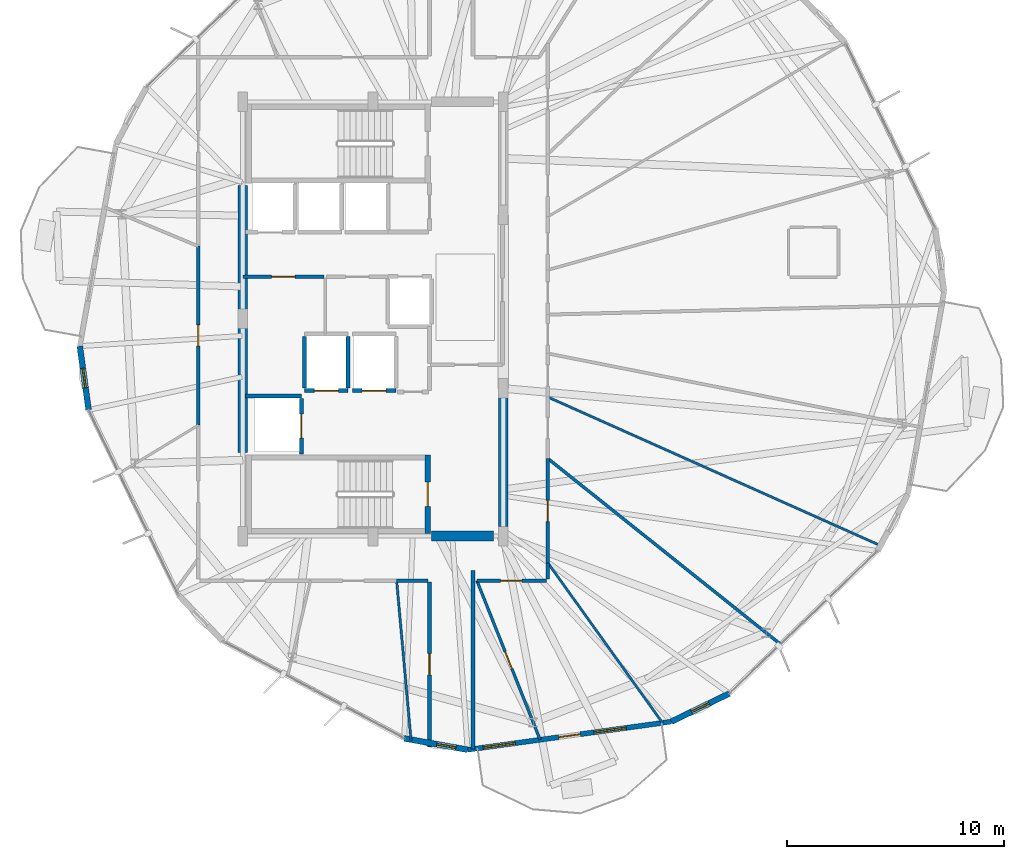
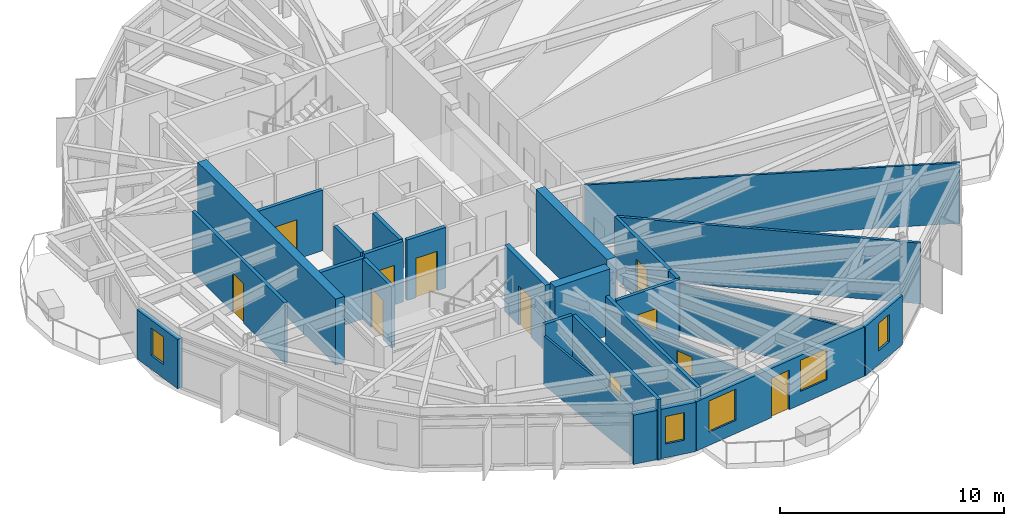
# One storey, part 20 of 26: 27 walls, 11 doors, 5 windows, 16 openings.
"""IFC4 building model written with IfcOpenShell, lengths in metres."""

from ifc_helpers import new_model, si_unit, direction, frame, frame_2d, origin, place, context, subcontext, project, spatial, rectangle, extrude, material, layer, layer_set, type_object, element, fill, save


model = new_model("IFC4")

# Units and contexts
model_context = context("Model", 3, precision=1e-05, world=origin(), true_north=direction((0.0, 1.0)))
body_context = subcontext(model_context, "Body", "Model", "MODEL_VIEW")
ifc_project = project(units=[si_unit("LENGTHUNIT", "METRE"), si_unit("AREAUNIT", "SQUARE_METRE"), si_unit("VOLUMEUNIT", "CUBIC_METRE"), si_unit("PLANEANGLEUNIT", "RADIAN"), si_unit("MASSUNIT", "GRAM", prefix="KILO")], contexts=[model_context])

# Site, building, storey
site_placement = place(None, origin())
site = spatial("IfcSite", under=ifc_project, at=site_placement, CompositionType="ELEMENT")
building_placement = place(site_placement, origin())
building = spatial("IfcBuilding", under=site, at=building_placement, Name="Soratama Intermodal Tower", CompositionType="ELEMENT")
storey_placement = place(building_placement, frame((0.0, 0.0, 194.199951171875)))
storey = spatial("IfcBuildingStorey", under=building, at=storey_placement, Name="L48", CompositionType="ELEMENT", Elevation=194.199951171875)

# Wall, openings, door, windows
ifc_material_1 = material(Name="Concrete f'c 42 MPa", Category="concrete")
ifc_layer_1 = layer(ifc_material_1, 0.22998046875)
ifc_layer_set_1 = layer_set([ifc_layer_1], Name="Concrete f'c 42 MPa")
wall_type_1 = type_object("IfcWallType", Name="EW-BAL-230", PredefinedType="SOLIDWALL", material=ifc_layer_set_1)
wall_1_placement = place(storey_placement, frame((42.95849609375, 5.159912109375, 0.0), z_axis=(0.0, 0.0, 1.0), x_axis=(0.990605602179, 0.136749921142, 0.0)))
wall_1 = element("IfcWall", 1, at=wall_1_placement, inside=storey, type_object=wall_type_1, Name="L48 Terrace Wall F07", PredefinedType="SOLIDWALL", context=body_context, shape_type="SweptSolid", body=[
    extrude(rectangle(XDim=9.470947265625, YDim=0.22998046875, at=frame_2d((4.7353515625, 0.0))), origin(), (0.0, 0.0, 1.0), 2.678955078125),
])
opening_1_placement = place(wall_1_placement, frame((4.235595703125, 0.0, 0.0)))
opening_1 = element("IfcOpeningElement", 2, at=opening_1_placement, cuts=wall_1, Name="Opening ED-2", PredefinedType="OPENING", context=body_context, shape_type="SweptSolid", body=[
    extrude(rectangle(XDim=1.0, YDim=2.14990234375, at=frame_2d((0.5, 1.074951171875))), frame((0.0, 0.125, 0.0), z_axis=(0.0, -1.0, 0.0), x_axis=(1.0, 0.0, 0.0)), (0.0, 0.0, 1.0), 0.25),
])
opening_2_placement = place(wall_1_placement, frame((0.7158203125, 0.0, 0.719970703125)))
opening_2 = element("IfcOpeningElement", 3, at=opening_2_placement, cuts=wall_1, Name="Opening WN-1", PredefinedType="OPENING", context=body_context, shape_type="SweptSolid", body=[
    extrude(rectangle(XDim=1.5, YDim=1.699951171875, at=frame_2d((0.75, 0.85009765625))), frame((0.0, 0.125, 0.0), z_axis=(0.0, -1.0, 0.0), x_axis=(1.0, 0.0, 0.0)), (0.0, 0.0, 1.0), 0.25),
])
opening_3_placement = place(wall_1_placement, frame((5.87548828125, 0.0, 0.719970703125)))
opening_3 = element("IfcOpeningElement", 4, at=opening_3_placement, cuts=wall_1, Name="Opening WN-1", PredefinedType="OPENING", context=body_context, shape_type="SweptSolid", body=[
    extrude(rectangle(XDim=1.5, YDim=1.699951171875, at=frame_2d((0.75, 0.85009765625))), frame((0.0, 0.125, 0.0), z_axis=(0.0, -1.0, 0.0), x_axis=(1.0, 0.0, 0.0)), (0.0, 0.0, 1.0), 0.25),
])
ifc_material_2 = material(Name="Double-glazed aluminium door", Category="aluminium")
door_type_1 = type_object("IfcDoorType", Name="DR-BAL-1000", OperationType="NOTDEFINED", PredefinedType="DOOR", material=ifc_material_2)
door_1_placement = place(opening_1_placement, origin())
door_1 = element("IfcDoor", 5, at=door_1_placement, inside=storey, type_object=door_type_1, Name="L48 Balcony Door F07", OperationType="SINGLE_SWING_LEFT", OverallHeight=2.14990234375, OverallWidth=1.0, PredefinedType="DOOR", context=body_context, shape_type="SweptSolid", body=[
    extrude(rectangle(XDim=1.0, YDim=2.14990234375, at=frame_2d((0.5, 1.074951171875))), frame((0.0, 0.02490234375, 0.0), z_axis=(0.0, -1.0, 0.0), x_axis=(1.0, 0.0, 0.0)), (0.0, 0.0, 1.0), 0.050048828125),
])
fill(opening_1, door_1)
ifc_material_3 = material(Name="Double-glazed aluminium window", Category="aluminium")
window_type_1 = type_object("IfcWindowType", Name="WN-FAC-1500", PartitioningType="SINGLE_PANEL", PredefinedType="WINDOW", material=ifc_material_3)
window_1_placement = place(opening_2_placement, origin())
window_1 = element("IfcWindow", 6, at=window_1_placement, inside=storey, type_object=window_type_1, Name="L48 Window A F07", OverallHeight=1.699951171875, OverallWidth=1.5, PartitioningType="SINGLE_PANEL", PredefinedType="WINDOW", context=body_context, shape_type="SweptSolid", body=[
    extrude(rectangle(XDim=1.5, YDim=1.699951171875, at=frame_2d((0.75, 0.85009765625))), frame((0.0, 0.030029296875, 0.0), z_axis=(0.0, -1.0, 0.0), x_axis=(1.0, 0.0, 0.0)), (0.0, 0.0, 1.0), 0.06005859375),
])
fill(opening_2, window_1)
window_2_placement = place(opening_3_placement, origin())
window_2 = element("IfcWindow", 7, at=window_2_placement, inside=storey, type_object=window_type_1, Name="L48 Window B F07", OverallHeight=1.699951171875, OverallWidth=1.5, PartitioningType="SINGLE_PANEL", PredefinedType="WINDOW", context=body_context, shape_type="SweptSolid", body=[
    extrude(rectangle(XDim=1.5, YDim=1.699951171875, at=frame_2d((0.75, 0.85009765625))), frame((0.0, 0.030029296875, 0.0), z_axis=(0.0, -1.0, 0.0), x_axis=(1.0, 0.0, 0.0)), (0.0, 0.0, 1.0), 0.06005859375),
])
fill(opening_3, window_2)

# Wall, opening, window
ifc_material_4 = material(Name="Concrete f'c 42 MPa", Category="concrete")
ifc_layer_2 = layer(ifc_material_4, 0.27001953125)
ifc_layer_set_2 = layer_set([ifc_layer_2], Name="Concrete f'c 42 MPa")
wall_type_2 = type_object("IfcWallType", Name="EW-CRN-270", PredefinedType="SOLIDWALL", material=ifc_layer_set_2)
wall_2_placement = place(storey_placement, frame((25.09423828125, 23.74951171875, 0.0), z_axis=(0.0, 0.0, 1.0), x_axis=(0.136776637091, -0.99060191376, 0.0)))
wall_2 = element("IfcWall", 8, at=wall_2_placement, inside=storey, type_object=wall_type_2, Name="L48 Corner Closure Wall 04", PredefinedType="SOLIDWALL", context=body_context, shape_type="SweptSolid", body=[
    extrude(rectangle(XDim=2.966552734375, YDim=0.27001953125, at=frame_2d((1.4833984375, 0.0))), origin(), (0.0, 0.0, 1.0), 2.678955078125),
])
opening_4_placement = place(wall_2_placement, frame((1.033203125, 0.0, 0.75)))
opening_4 = element("IfcOpeningElement", 9, at=opening_4_placement, cuts=wall_2, Name="Opening WN-6", PredefinedType="OPENING", context=body_context, shape_type="SweptSolid", body=[
    extrude(rectangle(XDim=0.89990234375, YDim=1.5, at=frame_2d((0.449951171875, 0.75))), frame((0.0, 0.14501953125, 0.0), z_axis=(0.0, -1.0, 0.0), x_axis=(1.0, 0.0, 0.0)), (0.0, 0.0, 1.0), 0.2900390625),
])
ifc_material_5 = material(Name="Double-glazed aluminium window", Category="aluminium")
window_type_2 = type_object("IfcWindowType", Name="WN-FAC-900", PartitioningType="SINGLE_PANEL", PredefinedType="WINDOW", material=ifc_material_5)
window_3_placement = place(opening_4_placement, origin())
window_3 = element("IfcWindow", 10, at=window_3_placement, inside=storey, type_object=window_type_2, Name="L48 Corner Window 04", OverallHeight=1.5, OverallWidth=0.89990234375, PartitioningType="SINGLE_PANEL", PredefinedType="WINDOW", context=body_context, shape_type="SweptSolid", body=[
    extrude(rectangle(XDim=0.89990234375, YDim=1.5, at=frame_2d((0.449951171875, 0.75))), frame((0.0, 0.030029296875, 0.0), z_axis=(0.0, -1.0, 0.0), x_axis=(1.0, 0.0, 0.0)), (0.0, 0.0, 1.0), 0.06005859375),
])
fill(opening_4, window_3)

wall_3_placement = place(storey_placement, frame((40.0380859375, 5.68212890625, 0.0), z_axis=(0.0, 0.0, 1.0), x_axis=(0.984385841961, -0.176024186253, 0.0)))
wall_3 = element("IfcWall", 11, at=wall_3_placement, inside=storey, type_object=wall_type_2, Name="L48 Corner Closure Wall 06", PredefinedType="SOLIDWALL", context=body_context, shape_type="SweptSolid", body=[
    extrude(rectangle(XDim=2.966796875, YDim=0.27001953125, at=frame_2d((1.4833984375, 0.0))), origin(), (0.0, 0.0, 1.0), 2.678955078125),
])
opening_5_placement = place(wall_3_placement, frame((1.519287109375, 0.0, 0.75)))
opening_5 = element("IfcOpeningElement", 12, at=opening_5_placement, cuts=wall_3, Name="Opening WN-6", PredefinedType="OPENING", context=body_context, shape_type="SweptSolid", body=[
    extrude(rectangle(XDim=0.89990234375, YDim=1.5, at=frame_2d((0.449951171875, 0.75))), frame((0.0, 0.14501953125, 0.0), z_axis=(0.0, -1.0, 0.0), x_axis=(1.0, 0.0, 0.0)), (0.0, 0.0, 1.0), 0.2900390625),
])
window_4_placement = place(opening_5_placement, origin())
window_4 = element("IfcWindow", 13, at=window_4_placement, inside=storey, type_object=window_type_2, Name="L48 Corner Window 06", OverallHeight=1.5, OverallWidth=0.89990234375, PartitioningType="SINGLE_PANEL", PredefinedType="WINDOW", context=body_context, shape_type="SweptSolid", body=[
    extrude(rectangle(XDim=0.89990234375, YDim=1.5, at=frame_2d((0.449951171875, 0.75))), frame((0.0, 0.030029296875, 0.0), z_axis=(0.0, -1.0, 0.0), x_axis=(1.0, 0.0, 0.0)), (0.0, 0.0, 1.0), 0.06005859375),
])
fill(opening_5, window_4)

wall_4_placement = place(storey_placement, frame((52.340576171875, 6.455078125, 0.0), z_axis=(0.0, 0.0, 1.0), x_axis=(0.899889481121, 0.436118013578, 0.0)))
wall_4 = element("IfcWall", 14, at=wall_4_placement, inside=storey, type_object=wall_type_2, Name="L48 Corner Closure Wall 07", PredefinedType="SOLIDWALL", context=body_context, shape_type="SweptSolid", body=[
    extrude(rectangle(XDim=2.96630859375, YDim=0.27001953125, at=frame_2d((1.483154296875, 0.0))), origin(), (0.0, 0.0, 1.0), 2.678955078125),
])
opening_6_placement = place(wall_4_placement, frame((1.033203125, 0.0, 0.75)))
opening_6 = element("IfcOpeningElement", 15, at=opening_6_placement, cuts=wall_4, Name="Opening WN-6", PredefinedType="OPENING", context=body_context, shape_type="SweptSolid", body=[
    extrude(rectangle(XDim=0.89990234375, YDim=1.5, at=frame_2d((0.449951171875, 0.75))), frame((0.0, 0.14501953125, 0.0), z_axis=(0.0, -1.0, 0.0), x_axis=(1.0, 0.0, 0.0)), (0.0, 0.0, 1.0), 0.2900390625),
])
window_5_placement = place(opening_6_placement, origin())
window_5 = element("IfcWindow", 16, at=window_5_placement, inside=storey, type_object=window_type_2, Name="L48 Corner Window 07", OverallHeight=1.5, OverallWidth=0.89990234375, PartitioningType="SINGLE_PANEL", PredefinedType="WINDOW", context=body_context, shape_type="SweptSolid", body=[
    extrude(rectangle(XDim=0.89990234375, YDim=1.5, at=frame_2d((0.449951171875, 0.75))), frame((0.0, 0.030029296875, 0.0), z_axis=(0.0, -1.0, 0.0), x_axis=(1.0, 0.0, 0.0)), (0.0, 0.0, 1.0), 0.06005859375),
])
fill(opening_6, window_5)

# Wall, opening, door
ifc_material_6 = material(Name="Fire-rated gypsum stud partition", Category="concrete")
ifc_layer_3 = layer(ifc_material_6, 0.169921875)
ifc_layer_set_3 = layer_set([ifc_layer_3], Name="Fire-rated gypsum stud partition")
wall_type_3 = type_object("IfcWallType", Name="IW-PART-R170", PredefinedType="PARTITIONING", material=ifc_layer_set_3)
wall_5_placement = place(storey_placement, frame((30.550048828125, 20.10595703125, 0.0), z_axis=(0.0, 0.0, 1.0), x_axis=(0.0, 1.0, 0.0)))
wall_5 = element("IfcWall", 17, at=wall_5_placement, inside=storey, type_object=wall_type_3, Name="L48 Partition W-L48-TP010", PredefinedType="PARTITIONING", context=body_context, shape_type="SweptSolid", body=[
    extrude(rectangle(XDim=8.2451171875, YDim=0.169921875, at=frame_2d((4.12255859375, 0.0))), origin(), (0.0, 0.0, 1.0), 3.300048828125),
])
opening_7_placement = place(wall_5_placement, frame((3.64697265625, 0.0, 0.0)))
opening_7 = element("IfcOpeningElement", 18, at=opening_7_placement, cuts=wall_5, Name="Opening ID-5", PredefinedType="OPENING", context=body_context, shape_type="SweptSolid", body=[
    extrude(rectangle(XDim=0.97998046875, YDim=2.14990234375, at=frame_2d((0.489990234375, 1.074951171875))), frame((0.0, 0.094970703125, 0.0), z_axis=(0.0, -1.0, 0.0), x_axis=(1.0, 0.0, 0.0)), (0.0, 0.0, 1.0), 0.18994140625),
])
ifc_material_7 = material(Name="Solid hardwood acoustic door", Category="wood")
door_type_2 = type_object("IfcDoorType", Name="DR-OFF-980", OperationType="NOTDEFINED", PredefinedType="DOOR", material=ifc_material_7)
door_2_placement = place(opening_7_placement, origin())
door_2 = element("IfcDoor", 19, at=door_2_placement, inside=storey, type_object=door_type_2, Name="L48 Door D-L48-TP002", OperationType="SINGLE_SWING_LEFT", OverallHeight=2.14990234375, OverallWidth=0.97998046875, PredefinedType="DOOR", context=body_context, shape_type="SweptSolid", body=[
    extrude(rectangle(XDim=0.97998046875, YDim=2.14990234375, at=frame_2d((0.489990234375, 1.074951171875))), frame((0.0, 0.02490234375, 0.0), z_axis=(0.0, -1.0, 0.0), x_axis=(1.0, 0.0, 0.0)), (0.0, 0.0, 1.0), 0.050048828125),
])
fill(opening_7, door_2)

wall_6_placement = place(storey_placement, frame((41.199951171875, 5.279052734375, 0.0), z_axis=(0.0, 0.0, 1.0), x_axis=(0.0, 1.0, 0.0)))
wall_6 = element("IfcWall", 20, at=wall_6_placement, inside=storey, type_object=wall_type_3, Name="L48 Partition W-L48-TP013", PredefinedType="PARTITIONING", context=body_context, shape_type="SweptSolid", body=[
    extrude(rectangle(XDim=7.600830078125, YDim=0.169921875, at=frame_2d((3.80029296875, 0.0))), origin(), (0.0, 0.0, 1.0), 3.300048828125),
])
opening_8_placement = place(wall_6_placement, frame((3.325927734375, 0.0, 0.0)))
opening_8 = element("IfcOpeningElement", 21, at=opening_8_placement, cuts=wall_6, Name="Opening ID-5", PredefinedType="OPENING", context=body_context, shape_type="SweptSolid", body=[
    extrude(rectangle(XDim=0.97998046875, YDim=2.14990234375, at=frame_2d((0.489990234375, 1.074951171875))), frame((0.0, 0.094970703125, 0.0), z_axis=(0.0, -1.0, 0.0), x_axis=(1.0, 0.0, 0.0)), (0.0, 0.0, 1.0), 0.18994140625),
])
door_3_placement = place(opening_8_placement, origin())
door_3 = element("IfcDoor", 22, at=door_3_placement, inside=storey, type_object=door_type_2, Name="L48 Door D-L48-TP003", OperationType="SINGLE_SWING_RIGHT", OverallHeight=2.14990234375, OverallWidth=0.97998046875, PredefinedType="DOOR", context=body_context, shape_type="SweptSolid", body=[
    extrude(rectangle(XDim=0.97998046875, YDim=2.14990234375, at=frame_2d((0.489990234375, 1.074951171875))), frame((0.0, 0.02490234375, 0.0), z_axis=(0.0, -1.0, 0.0), x_axis=(1.0, 0.0, 0.0)), (0.0, 0.0, 1.0), 0.050048828125),
])
fill(opening_8, door_3)

wall_7_placement = place(storey_placement, frame((46.64990234375, 18.572998046875, 0.0), z_axis=(0.0, 0.0, 1.0), x_axis=(0.0, -1.0, 0.0)))
wall_7 = element("IfcWall", 23, at=wall_7_placement, inside=storey, type_object=wall_type_3, Name="L48 Partition W-L48-TP021", PredefinedType="PARTITIONING", context=body_context, shape_type="SweptSolid", body=[
    extrude(rectangle(XDim=4.803955078125, YDim=0.169921875, at=frame_2d((2.40185546875, 0.0))), origin(), (0.0, 0.0, 1.0), 3.300048828125),
])
opening_9_placement = place(wall_7_placement, frame((1.927001953125, 0.0, 0.0)))
opening_9 = element("IfcOpeningElement", 24, at=opening_9_placement, cuts=wall_7, Name="Opening ID-5", PredefinedType="OPENING", context=body_context, shape_type="SweptSolid", body=[
    extrude(rectangle(XDim=0.97998046875, YDim=2.14990234375, at=frame_2d((0.489990234375, 1.074951171875))), frame((0.0, 0.094970703125, 0.0), z_axis=(0.0, -1.0, 0.0), x_axis=(1.0, 0.0, 0.0)), (0.0, 0.0, 1.0), 0.18994140625),
])
door_4_placement = place(opening_9_placement, origin())
door_4 = element("IfcDoor", 25, at=door_4_placement, inside=storey, type_object=door_type_2, Name="L48 Door D-L48-TP009", OperationType="SINGLE_SWING_RIGHT", OverallHeight=2.14990234375, OverallWidth=0.97998046875, PredefinedType="DOOR", context=body_context, shape_type="SweptSolid", body=[
    extrude(rectangle(XDim=0.97998046875, YDim=2.14990234375, at=frame_2d((0.489990234375, 1.074951171875))), frame((0.0, 0.02490234375, 0.0), z_axis=(0.0, -1.0, 0.0), x_axis=(1.0, 0.0, 0.0)), (0.0, 0.0, 1.0), 0.050048828125),
])
fill(opening_9, door_4)

wall_8_placement = place(storey_placement, frame((36.340087890625, 26.93994140625, 0.0), z_axis=(0.0, 0.0, 1.0), x_axis=(-1.0, 0.0, 0.0)))
wall_8 = element("IfcWall", 26, at=wall_8_placement, inside=storey, type_object=wall_type_3, Name="L48 Partition W-L48-TP027", PredefinedType="PARTITIONING", context=body_context, shape_type="SweptSolid", body=[
    extrude(rectangle(XDim=3.739990234375, YDim=0.169921875, at=frame_2d((1.8701171875, 0.0))), origin(), (0.0, 0.0, 1.0), 3.300048828125),
])
opening_10_placement = place(wall_8_placement, frame((1.330078125, 0.0, 0.0)))
opening_10 = element("IfcOpeningElement", 27, at=opening_10_placement, cuts=wall_8, Name="Opening ID-1", PredefinedType="OPENING", context=body_context, shape_type="SweptSolid", body=[
    extrude(rectangle(XDim=1.080078125, YDim=2.14990234375, at=frame_2d((0.5400390625, 1.074951171875))), frame((0.0, 0.094970703125, 0.0), z_axis=(0.0, -1.0, 0.0), x_axis=(1.0, 0.0, 0.0)), (0.0, 0.0, 1.0), 0.18994140625),
])
ifc_material_8 = material(Name="Solid hardwood acoustic door", Category="wood")
door_type_3 = type_object("IfcDoorType", Name="DR-LOB-FD60", OperationType="NOTDEFINED", PredefinedType="DOOR", material=ifc_material_8)
door_5_placement = place(opening_10_placement, origin())
door_5 = element("IfcDoor", 28, at=door_5_placement, inside=storey, type_object=door_type_3, Name="L48 Door D-L48-TP011", OperationType="SINGLE_SWING_RIGHT", OverallHeight=2.14990234375, OverallWidth=1.080078125, PredefinedType="DOOR", context=body_context, shape_type="SweptSolid", body=[
    extrude(rectangle(XDim=1.080078125, YDim=2.14990234375, at=frame_2d((0.5400390625, 1.074951171875))), frame((0.0, 0.02490234375, 0.0), z_axis=(0.0, -1.0, 0.0), x_axis=(1.0, 0.0, 0.0)), (0.0, 0.0, 1.0), 0.050048828125),
])
fill(opening_10, door_5)

wall_9_placement = place(storey_placement, frame((46.580078125, 12.949951171875, 0.0), z_axis=(0.0, 0.0, 1.0), x_axis=(-1.0, 0.0, 0.0)))
wall_9 = element("IfcWall", 29, at=wall_9_placement, inside=storey, type_object=wall_type_3, Name="L48 Partition W-L48-TP030", PredefinedType="PARTITIONING", context=body_context, shape_type="SweptSolid", body=[
    extrude(rectangle(XDim=3.197021484375, YDim=0.169921875, at=frame_2d((1.5986328125, 0.0))), origin(), (0.0, 0.0, 1.0), 3.300048828125),
])
opening_11_placement = place(wall_9_placement, frame((1.123046875, 0.0, 0.0)))
opening_11 = element("IfcOpeningElement", 30, at=opening_11_placement, cuts=wall_9, Name="Opening ID-5", PredefinedType="OPENING", context=body_context, shape_type="SweptSolid", body=[
    extrude(rectangle(XDim=0.97998046875, YDim=2.14990234375, at=frame_2d((0.489990234375, 1.074951171875))), frame((0.0, 0.094970703125, 0.0), z_axis=(0.0, -1.0, 0.0), x_axis=(1.0, 0.0, 0.0)), (0.0, 0.0, 1.0), 0.18994140625),
])
door_6_placement = place(opening_11_placement, origin())
door_6 = element("IfcDoor", 31, at=door_6_placement, inside=storey, type_object=door_type_2, Name="L48 Door D-L48-TP013", OperationType="SINGLE_SWING_RIGHT", OverallHeight=2.14990234375, OverallWidth=0.97998046875, PredefinedType="DOOR", context=body_context, shape_type="SweptSolid", body=[
    extrude(rectangle(XDim=0.97998046875, YDim=2.14990234375, at=frame_2d((0.489990234375, 1.074951171875))), frame((0.0, 0.02490234375, 0.0), z_axis=(0.0, -1.0, 0.0), x_axis=(1.0, 0.0, 0.0)), (0.0, 0.0, 1.0), 0.050048828125),
])
fill(opening_11, door_6)

# Walls
wall_10_placement = place(storey_placement, frame((41.1298828125, 12.949951171875, 0.0), z_axis=(0.0, 0.0, 1.0), x_axis=(-1.0, 0.0, 0.0)))
element("IfcWall", 32, at=wall_10_placement, inside=storey, type_object=wall_type_3, Name="L48 Partition W-L48-TP048", PredefinedType="PARTITIONING", context=body_context, shape_type="SweptSolid", body=[
    extrude(rectangle(XDim=1.44287109375, YDim=0.169921875, at=frame_2d((0.721435546875, 0.0))), origin(), (0.0, 0.0, 1.0), 3.300048828125),
])
wall_11_placement = place(storey_placement, frame((46.64990234375, 13.76904296875, 0.0), z_axis=(0.0, 0.0, 1.0), x_axis=(0.0, -1.0, 0.0)))
element("IfcWall", 33, at=wall_11_placement, inside=storey, type_object=wall_type_3, Name="L48 Partition W-L48-TP052", PredefinedType="PARTITIONING", context=body_context, shape_type="SweptSolid", body=[
    extrude(rectangle(XDim=0.7490234375, YDim=0.169921875, at=frame_2d((0.37451171875, 0.0))), origin(), (0.0, 0.0, 1.0), 3.300048828125),
])
wall_12_placement = place(storey_placement, frame((43.199951171875, 13.410888671875, 0.0), z_axis=(0.0, 0.0, 1.0), x_axis=(0.0, -1.0, 0.0)))
element("IfcWall", 34, at=wall_12_placement, inside=storey, type_object=wall_type_3, Name="L48 Partition W-L48-TP053", PredefinedType="PARTITIONING", context=body_context, shape_type="SweptSolid", body=[
    extrude(rectangle(XDim=8.2177734375, YDim=0.169921875, at=frame_2d((4.10888671875, 0.0))), origin(), (0.0, 0.0, 1.0), 3.300048828125),
])
ifc_material_9 = material(Name="Fire-rated gypsum stud partition", Category="concrete")
ifc_layer_4 = layer(ifc_material_9, 0.110107421875)
ifc_layer_set_4 = layer_set([ifc_layer_4], Name="Fire-rated gypsum stud partition")
wall_type_4 = type_object("IfcWallType", Name="IW-PART-S110", PredefinedType="PARTITIONING", material=ifc_layer_set_4)
wall_13_placement = place(storey_placement, frame((46.64990234375, 21.405029296875, 0.0), z_axis=(0.0, 0.0, 1.0), x_axis=(0.913078369875, -0.407784122381, 0.0)))
element("IfcWall", 35, at=wall_13_placement, inside=storey, type_object=wall_type_4, Name="L48 Partition W-L48-TP004", PredefinedType="PARTITIONING", context=body_context, shape_type="SweptSolid", body=[
    extrude(rectangle(XDim=16.82763671875, YDim=0.110107421875, at=frame_2d((8.413818359375, 0.0))), origin(), (0.0, 0.0, 1.0), 3.300048828125),
])
wall_14_placement = place(storey_placement, frame((46.64990234375, 13.76904296875, 0.0), z_axis=(0.0, 0.0, 1.0), x_axis=(0.582523685051, -0.812813727956, 0.0)))
element("IfcWall", 36, at=wall_14_placement, inside=storey, type_object=wall_type_4, Name="L48 Partition W-L48-TP009", PredefinedType="PARTITIONING", context=body_context, shape_type="SweptSolid", body=[
    extrude(rectangle(XDim=9.0673828125, YDim=0.110107421875, at=frame_2d((4.53369140625, 0.0))), origin(), (0.0, 0.0, 1.0), 2.677978515625),
])
wall_15_placement = place(storey_placement, frame((39.68701171875, 12.949951171875, 0.0), z_axis=(0.0, 0.0, 1.0), x_axis=(0.089786794698, -0.995961009025, 0.0)))
element("IfcWall", 37, at=wall_15_placement, inside=storey, type_object=wall_type_4, Name="L48 Partition W-L48-TP014", PredefinedType="PARTITIONING", context=body_context, shape_type="SweptSolid", body=[
    extrude(rectangle(XDim=7.406982421875, YDim=0.110107421875, at=frame_2d((3.70361328125, 0.0))), origin(), (0.0, 0.0, 1.0), 2.677978515625),
])

# Wall, opening, door
ifc_material_10 = material(Name="Fire-rated gypsum stud partition", Category="concrete")
ifc_layer_5 = layer(ifc_material_10, 0.1298828125)
ifc_layer_set_5 = layer_set([ifc_layer_5], Name="Fire-rated gypsum stud partition")
wall_type_5 = type_object("IfcWallType", Name="IW-PART-S130", PredefinedType="PARTITIONING", material=ifc_layer_set_5)
wall_16_placement = place(storey_placement, frame((43.383056640625, 12.949951171875, 0.0), z_axis=(0.0, 0.0, 1.0), x_axis=(0.369089180525, -0.929393983636, 0.0)))
wall_16 = element("IfcWall", 38, at=wall_16_placement, inside=storey, type_object=wall_type_5, Name="L48 Partition W-L48-TP012", PredefinedType="PARTITIONING", context=body_context, shape_type="SweptSolid", body=[
    extrude(rectangle(XDim=7.88671875, YDim=0.1298828125, at=frame_2d((3.943359375, 0.0))), origin(), (0.0, 0.0, 1.0), 2.594970703125),
])
opening_12_placement = place(wall_16_placement, frame((3.51806640625, 0.0, 0.0)))
opening_12 = element("IfcOpeningElement", 39, at=opening_12_placement, cuts=wall_16, Name="Opening ID-4", PredefinedType="OPENING", context=body_context, shape_type="SweptSolid", body=[
    extrude(rectangle(XDim=0.85009765625, YDim=2.10009765625, at=frame_2d((0.425048828125, 1.050048828125))), frame((0.0, 0.074951171875, 0.0), z_axis=(0.0, -1.0, 0.0), x_axis=(1.0, 0.0, 0.0)), (0.0, 0.0, 1.0), 0.14990234375),
])
ifc_material_11 = material(Name="Solid hardwood acoustic door", Category="wood")
door_type_4 = type_object("IfcDoorType", Name="DR-BATH-850", OperationType="NOTDEFINED", PredefinedType="DOOR", material=ifc_material_11)
door_7_placement = place(opening_12_placement, origin())
door_7 = element("IfcDoor", 40, at=door_7_placement, inside=storey, type_object=door_type_4, Name="L48 Door D-L48-TP025", OperationType="SINGLE_SWING_LEFT", OverallHeight=2.10009765625, OverallWidth=0.85009765625, PredefinedType="DOOR", context=body_context, shape_type="SweptSolid", body=[
    extrude(rectangle(XDim=0.85009765625, YDim=2.10009765625, at=frame_2d((0.425048828125, 1.050048828125))), frame((0.0, 0.02490234375, 0.0), z_axis=(0.0, -1.0, 0.0), x_axis=(1.0, 0.0, 0.0)), (0.0, 0.0, 1.0), 0.050048828125),
])
fill(opening_12, door_7)

# Wall
ifc_material_12 = material(Name="Fire-rated gypsum stud partition", Category="concrete")
ifc_layer_6 = layer(ifc_material_12, 0.139892578125)
ifc_layer_set_6 = layer_set([ifc_layer_6], Name="Fire-rated gypsum stud partition")
wall_type_6 = type_object("IfcWallType", Name="IW-PART-S140", PredefinedType="PARTITIONING", material=ifc_layer_set_6)
wall_17_placement = place(storey_placement, frame((46.64990234375, 18.572998046875, 0.0), z_axis=(0.0, 0.0, 1.0), x_axis=(0.781519613494, -0.623880672665, 0.0)))
element("IfcWall", 41, at=wall_17_placement, inside=storey, type_object=wall_type_6, Name="L48 Partition W-L48-TP006", PredefinedType="PARTITIONING", context=body_context, shape_type="SweptSolid", body=[
    extrude(rectangle(XDim=13.715576171875, YDim=0.139892578125, at=frame_2d((6.85791015625, 0.0))), origin(), (0.0, 0.0, 1.0), 3.300048828125),
])

# Wall, opening, door
ifc_material_13 = material(Name="Concrete f'c 42 MPa", Category="concrete")
ifc_layer_7 = layer(ifc_material_13, 0.18505859375)
ifc_layer_set_7 = layer_set([ifc_layer_7], Name="Concrete f'c 42 MPa")
wall_type_7 = type_object("IfcWallType", Name="IW-SHAFT-185", PredefinedType="SOLIDWALL", material=ifc_layer_set_7)
wall_18_placement = place(storey_placement, frame((35.449951171875, 21.699951171875, 0.0), z_axis=(0.0, 0.0, 1.0), x_axis=(1.0, 0.0, 0.0)))
wall_18 = element("IfcWall", 42, at=wall_18_placement, inside=storey, type_object=wall_type_7, Name="L48 FFL-1 Hoistway Wall S", PredefinedType="SOLIDWALL", context=body_context, shape_type="SweptSolid", body=[
    extrude(rectangle(XDim=2.0, YDim=0.18505859375, at=frame_2d((1.0, 0.0))), origin(), (0.0, 0.0, 1.0), 3.300048828125),
])
opening_13_placement = place(wall_18_placement, frame((0.449951171875, 0.0, 0.0)))
opening_13 = element("IfcOpeningElement", 43, at=opening_13_placement, cuts=wall_18, Name="Opening LD-1", PredefinedType="OPENING", context=body_context, shape_type="SweptSolid", body=[
    extrude(rectangle(XDim=1.10009765625, YDim=2.14990234375, at=frame_2d((0.550048828125, 1.074951171875))), frame((0.0, 0.1025390625, 0.0), z_axis=(0.0, -1.0, 0.0), x_axis=(1.0, 0.0, 0.0)), (0.0, 0.0, 1.0), 0.205078125),
])
ifc_material_14 = material(Name="Steel fire door", Category="steel")
door_type_5 = type_object("IfcDoorType", Name="DR-LIFT-SLIDE", OperationType="NOTDEFINED", PredefinedType="DOOR", material=ifc_material_14)
door_8_placement = place(opening_13_placement, origin())
door_8 = element("IfcDoor", 44, at=door_8_placement, inside=storey, type_object=door_type_5, Name="L48 FFL-1 Sliding Landing Door", OperationType="SLIDING_TO_LEFT", OverallHeight=2.14990234375, OverallWidth=1.10009765625, PredefinedType="DOOR", context=body_context, shape_type="SweptSolid", body=[
    extrude(rectangle(XDim=1.10009765625, YDim=2.14990234375, at=frame_2d((0.550048828125, 1.074951171875))), frame((0.0, 0.02490234375, 0.0), z_axis=(0.0, -1.0, 0.0), x_axis=(1.0, 0.0, 0.0)), (0.0, 0.0, 1.0), 0.050048828125),
])
fill(opening_13, door_8)

# Walls
for number, where, z_axis, x_axis, name in (
    (45, (35.449951171875, 21.81005859375, 0.0), (0.0, 0.0, 1.0), (0.0, 1.0, 0.0), "L48 FFL-1 Hoistway Wall W"),
    (46, (37.449951171875, 21.81005859375, 0.0), (0.0, 0.0, 1.0), (0.0, 1.0, 0.0), "L48 FFL-1 Hoistway Wall E"),
):
    element("IfcWall", number, at=place(storey_placement, frame(where, z_axis=z_axis, x_axis=x_axis)), inside=storey, type_object=wall_type_7, Name=name, PredefinedType="SOLIDWALL", context=body_context, shape_type="SweptSolid", body=[
        extrude(rectangle(XDim=2.3798828125, YDim=0.18505859375, at=frame_2d((1.18994140625, 0.0))), origin(), (0.0, 0.0, 1.0), 3.300048828125),
    ])

# Wall, opening, door
wall_19_placement = place(storey_placement, frame((37.64990234375, 21.699951171875, 0.0), z_axis=(0.0, 0.0, 1.0), x_axis=(1.0, 0.0, 0.0)))
wall_19 = element("IfcWall", 47, at=wall_19_placement, inside=storey, type_object=wall_type_7, Name="L48 FFL-2 Hoistway Wall S", PredefinedType="SOLIDWALL", context=body_context, shape_type="SweptSolid", body=[
    extrude(rectangle(XDim=2.0, YDim=0.18505859375, at=frame_2d((1.0, 0.0))), origin(), (0.0, 0.0, 1.0), 3.300048828125),
])
opening_14_placement = place(wall_19_placement, frame((0.449951171875, 0.0, 0.0)))
opening_14 = element("IfcOpeningElement", 48, at=opening_14_placement, cuts=wall_19, Name="Opening LD-1", PredefinedType="OPENING", context=body_context, shape_type="SweptSolid", body=[
    extrude(rectangle(XDim=1.10009765625, YDim=2.14990234375, at=frame_2d((0.550048828125, 1.074951171875))), frame((0.0, 0.1025390625, 0.0), z_axis=(0.0, -1.0, 0.0), x_axis=(1.0, 0.0, 0.0)), (0.0, 0.0, 1.0), 0.205078125),
])
door_9_placement = place(opening_14_placement, origin())
door_9 = element("IfcDoor", 49, at=door_9_placement, inside=storey, type_object=door_type_5, Name="L48 FFL-2 Sliding Landing Door", OperationType="SLIDING_TO_LEFT", OverallHeight=2.14990234375, OverallWidth=1.10009765625, PredefinedType="DOOR", context=body_context, shape_type="SweptSolid", body=[
    extrude(rectangle(XDim=1.10009765625, YDim=2.14990234375, at=frame_2d((0.550048828125, 1.074951171875))), frame((0.0, 0.02490234375, 0.0), z_axis=(0.0, -1.0, 0.0), x_axis=(1.0, 0.0, 0.0)), (0.0, 0.0, 1.0), 0.050048828125),
])
fill(opening_14, door_9)

# Wall
wall_20_placement = place(storey_placement, frame((32.719970703125, 21.449951171875, 0.0), z_axis=(0.0, 0.0, 1.0), x_axis=(1.0, 0.0, 0.0)))
element("IfcWall", 50, at=wall_20_placement, inside=storey, type_object=wall_type_7, Name="L48 SVL-1 Hoistway Wall N", PredefinedType="SOLIDWALL", context=body_context, shape_type="SweptSolid", body=[
    extrude(rectangle(XDim=2.580078125, YDim=0.18505859375, at=frame_2d((1.2900390625, 0.0))), origin(), (0.0, 0.0, 1.0), 3.300048828125),
])

# Wall, opening, door
wall_21_placement = place(storey_placement, frame((35.300048828125, 18.7900390625, 0.0), z_axis=(0.0, 0.0, 1.0), x_axis=(0.0, 1.0, 0.0)))
wall_21 = element("IfcWall", 51, at=wall_21_placement, inside=storey, type_object=wall_type_7, Name="L48 SVL-1 Hoistway Wall E", PredefinedType="SOLIDWALL", context=body_context, shape_type="SweptSolid", body=[
    extrude(rectangle(XDim=2.550048828125, YDim=0.18505859375, at=frame_2d((1.27490234375, 0.0))), origin(), (0.0, 0.0, 1.0), 3.300048828125),
])
opening_15_placement = place(wall_21_placement, frame((0.72509765625, 0.0, 0.0)))
opening_15 = element("IfcOpeningElement", 52, at=opening_15_placement, cuts=wall_21, Name="Opening LD-1", PredefinedType="OPENING", context=body_context, shape_type="SweptSolid", body=[
    extrude(rectangle(XDim=1.10009765625, YDim=2.14990234375, at=frame_2d((0.550048828125, 1.074951171875))), frame((0.0, 0.1025390625, 0.0), z_axis=(0.0, -1.0, 0.0), x_axis=(1.0, 0.0, 0.0)), (0.0, 0.0, 1.0), 0.205078125),
])
door_10_placement = place(opening_15_placement, origin())
door_10 = element("IfcDoor", 53, at=door_10_placement, inside=storey, type_object=door_type_5, Name="L48 SVL-1 Sliding Landing Door", OperationType="SLIDING_TO_LEFT", OverallHeight=2.14990234375, OverallWidth=1.10009765625, PredefinedType="DOOR", context=body_context, shape_type="SweptSolid", body=[
    extrude(rectangle(XDim=1.10009765625, YDim=2.14990234375, at=frame_2d((0.550048828125, 1.074951171875))), frame((0.0, 0.02490234375, 0.0), z_axis=(0.0, -1.0, 0.0), x_axis=(1.0, 0.0, 0.0)), (0.0, 0.0, 1.0), 0.050048828125),
])
fill(opening_15, door_10)

# Walls
ifc_material_15 = material(Name="Concrete f'c 56 MPa", Category="concrete")
ifc_layer_8 = layer(ifc_material_15, 0.449951171875)
ifc_layer_set_8 = layer_set([ifc_layer_8], Name="Concrete f'c 56 MPa")
wall_type_8 = type_object("IfcWallType", Name="SW-CORE-450", PredefinedType="SHEAR", material=ifc_layer_set_8)
wall_22_placement = place(storey_placement, frame((32.60009765625, 18.85009765625, 0.0), z_axis=(0.0, 0.0, 1.0), x_axis=(0.0, 1.0, 0.0)))
element("IfcWall", 54, at=wall_22_placement, inside=storey, type_object=wall_type_8, Name="L48 Core Shear Wall CW-WMID", PredefinedType="SHEAR", context=body_context, shape_type="SweptSolid", body=[
    extrude(rectangle(XDim=12.2998046875, YDim=0.449951171875, at=frame_2d((6.14990234375, 0.0))), origin(), (0.0, 0.0, 1.0), 3.60009765625),
])
wall_23_placement = place(storey_placement, frame((41.300048828125, 15.0, 0.0), z_axis=(0.0, 0.0, 1.0), x_axis=(1.0, 0.0, 0.0)))
element("IfcWall", 55, at=wall_23_placement, inside=storey, type_object=wall_type_8, Name="L48 Core Shear Wall CW-SE", PredefinedType="SHEAR", context=body_context, shape_type="SweptSolid", body=[
    extrude(rectangle(XDim=2.849853515625, YDim=0.449951171875, at=frame_2d((1.4248046875, 0.0))), origin(), (0.0, 0.0, 1.0), 3.60009765625),
])
wall_24_placement = place(storey_placement, frame((44.60009765625, 15.449951171875, 0.0), z_axis=(0.0, 0.0, 1.0), x_axis=(0.0, 1.0, 0.0)))
element("IfcWall", 56, at=wall_24_placement, inside=storey, type_object=wall_type_8, Name="L48 Core Shear Wall CW-ES", PredefinedType="SHEAR", context=body_context, shape_type="SweptSolid", body=[
    extrude(rectangle(XDim=6.35009765625, YDim=0.449951171875, at=frame_2d((3.175048828125, 0.0))), origin(), (0.0, 0.0, 1.0), 3.60009765625),
])

# Wall, opening, door
ifc_material_16 = material(Name="Concrete f'c 56 MPa", Category="concrete")
ifc_layer_9 = layer(ifc_material_16, 0.239990234375)
ifc_layer_set_9 = layer_set([ifc_layer_9], Name="Concrete f'c 56 MPa")
wall_type_9 = type_object("IfcWallType", Name="SW-STAIR-240", PredefinedType="SHEAR", material=ifc_layer_set_9)
wall_25_placement = place(storey_placement, frame((41.1201171875, 15.110107421875, 0.0), z_axis=(0.0, 0.0, 1.0), x_axis=(0.0, 1.0, 0.0)))
wall_25 = element("IfcWall", 57, at=wall_25_placement, inside=storey, type_object=wall_type_9, Name="L48 ST-1 Shaft Shear Wall E", PredefinedType="SHEAR", context=body_context, shape_type="SweptSolid", body=[
    extrude(rectangle(XDim=3.6298828125, YDim=0.239990234375, at=frame_2d((1.81494140625, 0.0))), origin(), (0.0, 0.0, 1.0), 3.60009765625),
])
opening_16_placement = place(wall_25_placement, frame((1.2548828125, 0.0, 0.0)))
opening_16 = element("IfcOpeningElement", 58, at=opening_16_placement, cuts=wall_25, Name="Opening SD-1", PredefinedType="OPENING", context=body_context, shape_type="SweptSolid", body=[
    extrude(rectangle(XDim=1.1201171875, YDim=2.14990234375, at=frame_2d((0.56005859375, 1.074951171875))), frame((0.0, 0.1298828125, 0.0), z_axis=(0.0, -1.0, 0.0), x_axis=(1.0, 0.0, 0.0)), (0.0, 0.0, 1.0), 0.260009765625),
])
ifc_material_17 = material(Name="Steel fire door", Category="steel")
door_type_6 = type_object("IfcDoorType", Name="DR-STAIR-FD90", OperationType="NOTDEFINED", PredefinedType="DOOR", material=ifc_material_17)
door_11_placement = place(opening_16_placement, origin())
door_11 = element("IfcDoor", 59, at=door_11_placement, inside=storey, type_object=door_type_6, Name="L48 ST-1 Exit Stair Door", OperationType="SINGLE_SWING_LEFT", OverallHeight=2.14990234375, OverallWidth=1.1201171875, PredefinedType="DOOR", context=body_context, shape_type="SweptSolid", body=[
    extrude(rectangle(XDim=1.1201171875, YDim=2.14990234375, at=frame_2d((0.56005859375, 1.074951171875))), frame((0.0, 0.02490234375, 0.0), z_axis=(0.0, -1.0, 0.0), x_axis=(1.0, 0.0, 0.0)), (0.0, 0.0, 1.0), 0.050048828125),
])
fill(opening_16, door_11)

save(model, "model.ifc")
